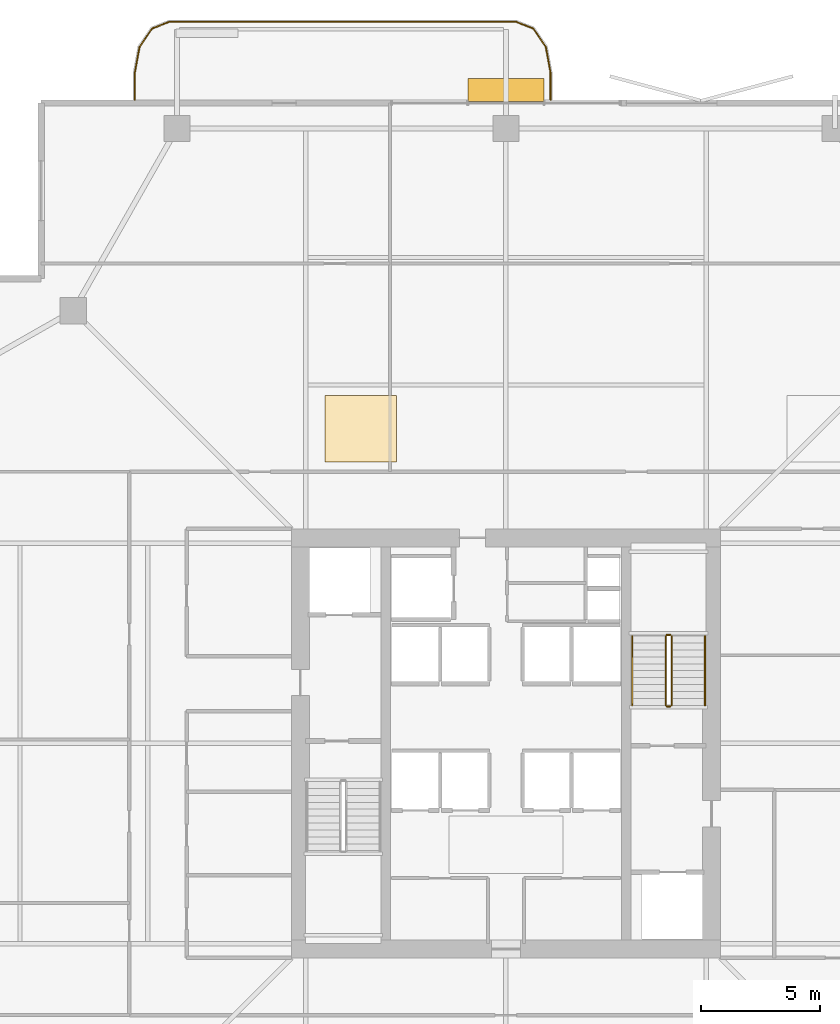
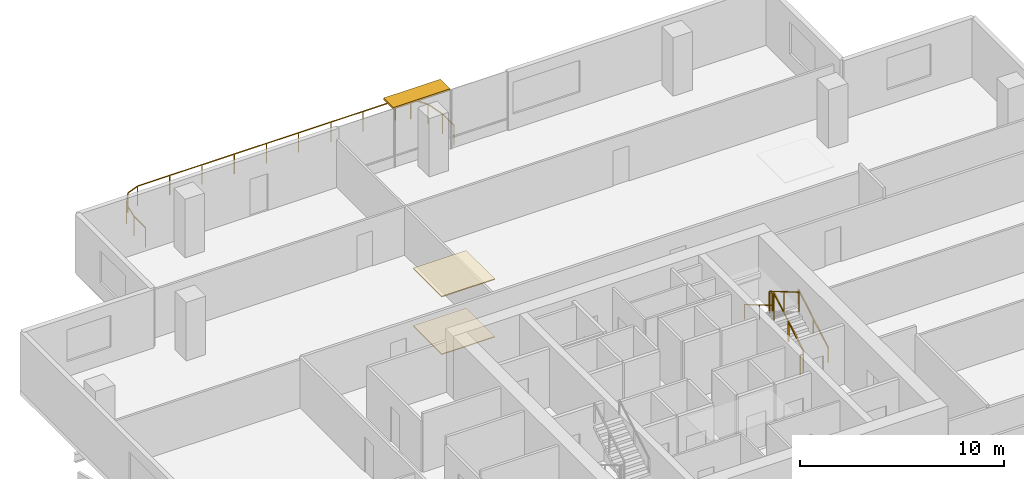
# One storey, part 23 of 24: 7 railings, 2 coverings, 1 shading device.
"""IFC4 building model written with IfcOpenShell, lengths in metres."""

from ifc_helpers import new_model, si_unit, direction, frame, origin, origin_2d, place, context, subcontext, project, spatial, polyline, rectangle, outline, extrude, material, layer, layer_set, type_object, element, save


model = new_model("IFC4")

# Units and contexts
model_context = context("Model", 3, precision=1e-05, world=origin(), true_north=direction((0.0, 1.0)))
body_context = subcontext(model_context, "Body", "Model", "MODEL_VIEW")
ifc_project = project(units=[si_unit("LENGTHUNIT", "METRE"), si_unit("AREAUNIT", "SQUARE_METRE"), si_unit("VOLUMEUNIT", "CUBIC_METRE"), si_unit("PLANEANGLEUNIT", "RADIAN"), si_unit("MASSUNIT", "GRAM", prefix="KILO")], contexts=[model_context])

# Site, building, storey
site_placement = place(None, origin())
site = spatial("IfcSite", under=ifc_project, at=site_placement, CompositionType="ELEMENT")
building_placement = place(site_placement, origin())
building = spatial("IfcBuilding", under=site, at=building_placement, Name="Belovzor Exchange Tower", CompositionType="ELEMENT")
storey_placement = place(building_placement, frame((0.0, 0.0, 222.449951171875)))
storey = spatial("IfcBuildingStorey", under=building, at=storey_placement, Name="L55", CompositionType="ELEMENT", Elevation=222.449951171875)

# Railings
ifc_material_1 = material(Name="Stainless Steel Grade 304", Category="steel")
railing_type_1 = type_object("IfcRailingType", Name="Brushed Stainless Steel Stair Handrail 900", PredefinedType="HANDRAIL", material=ifc_material_1)
railing_1_placement = place(storey_placement, frame((37.14990234375, 30.39990234375, 0.17041015625)))
element("IfcRailing", 1, at=railing_1_placement, inside=storey, type_object=railing_type_1, Name="L55 ST-2 stair handrail 1", PredefinedType="HANDRAIL", context=body_context, shape_type="SweptSolid", body=[
    extrude(rectangle(XDim=0.048095703125, YDim=0.048095703125, at=origin_2d()), frame((0.0, 0.0, 0.8759765625), z_axis=(0.0, 0.862113265706, 0.506715617574), x_axis=(-1.0, 0.0, 0.0)), (0.0, 0.0, 1.0), 3.364013671875),
    extrude(rectangle(XDim=0.0419921875, YDim=0.0419921875, at=origin_2d()), origin(), (0.0, 0.0, 1.0), 0.851806640625),
    extrude(rectangle(XDim=0.0419921875, YDim=0.0419921875, at=origin_2d()), frame((0.0, 1.4501953125, 0.852294921875)), (0.0, 0.0, 1.0), 0.851806640625),
    extrude(rectangle(XDim=0.0419921875, YDim=0.0419921875, at=origin_2d()), frame((0.0, 2.900146484375, 1.70458984375)), (0.0, 0.0, 1.0), 0.851806640625),
])
railing_2_placement = place(storey_placement, frame((34.10009765625, 33.300048828125, 2.04541015625)))
element("IfcRailing", 2, at=railing_2_placement, inside=storey, type_object=railing_type_1, Name="L55 ST-2 stair handrail 2", PredefinedType="HANDRAIL", context=body_context, shape_type="SweptSolid", body=[
    extrude(rectangle(XDim=0.048095703125, YDim=0.048095703125, at=origin_2d()), frame((0.0, 0.0, 0.8759765625), z_axis=(0.0, -0.862113265706, 0.506715617574), x_axis=(1.0, 0.0, 0.0)), (0.0, 0.0, 1.0), 3.364013671875),
    extrude(rectangle(XDim=0.0419921875, YDim=0.0419921875, at=origin_2d()), origin(), (0.0, 0.0, 1.0), 0.851806640625),
    extrude(rectangle(XDim=0.0419921875, YDim=0.0419921875, at=origin_2d()), frame((0.0, -1.4501953125, 0.852294921875)), (0.0, 0.0, 1.0), 0.851806640625),
    extrude(rectangle(XDim=0.0419921875, YDim=0.0419921875, at=origin_2d()), frame((0.0, -2.900146484375, 1.70458984375)), (0.0, 0.0, 1.0), 0.851806640625),
])
ifc_material_2 = material(Name="Stainless Steel and Laminated Safety Glass", Category="steel")
railing_type_2 = type_object("IfcRailingType", Name="Laminated Glass & Stainless Steel Balcony Balustrade 1200", PredefinedType="BALUSTRADE", material=ifc_material_2)
railing_3_placement = place(storey_placement, frame((30.669921875, 55.81005859375, 0.0)))
element("IfcRailing", 3, at=railing_3_placement, inside=storey, type_object=railing_type_2, Name="GR-1 Balcony Balustrade L55 North", PredefinedType="BALUSTRADE", context=body_context, shape_type="SweptSolid", body=[
    extrude(rectangle(XDim=0.048095703125, YDim=0.048095703125, at=origin_2d()), frame((0.0, 0.0, 1.17578125), z_axis=(0.0, 1.0, 0.0), x_axis=(-1.0, 0.0, 0.0)), (0.0, 0.0, 1.0), 1.133056640625),
    extrude(rectangle(XDim=0.048095703125, YDim=0.048095703125, at=origin_2d()), frame((0.0, 1.133056640625, 1.17578125), z_axis=(-0.180122719713, 0.983644145941, 0.0), x_axis=(-0.983644145941, -0.180122719713, 0.0)), (0.0, 0.0, 1.0), 1.09375),
    extrude(rectangle(XDim=0.048095703125, YDim=0.048095703125, at=origin_2d()), frame((-0.197021484375, 2.208984375, 1.17578125), z_axis=(-0.562768145367, 0.826614792125, 0.0), x_axis=(-0.826614792125, -0.562768145367, 0.0)), (0.0, 0.0, 1.0), 0.9326171875),
    extrude(rectangle(XDim=0.048095703125, YDim=0.048095703125, at=origin_2d()), frame((-0.721923828125, 2.97998046875, 1.17578125), z_axis=(-0.930766990125, 0.365612923861, 0.0), x_axis=(-0.365612923861, -0.930766990125, 0.0)), (0.0, 0.0, 1.0), 0.765869140625),
    extrude(rectangle(XDim=0.048095703125, YDim=0.048095703125, at=origin_2d()), frame((-1.434814453125, 3.260009765625, 1.17578125), z_axis=(-1.0, 0.0, 0.0), x_axis=(0.0, -1.0, 0.0)), (0.0, 0.0, 1.0), 14.570068359375),
    extrude(rectangle(XDim=0.048095703125, YDim=0.048095703125, at=origin_2d()), frame((-16.0048828125, 3.260009765625, 1.17578125), z_axis=(-0.930809580156, -0.365504480807, 0.0), x_axis=(0.365504480807, -0.930809580156, 0.0)), (0.0, 0.0, 1.0), 0.76611328125),
    extrude(rectangle(XDim=0.048095703125, YDim=0.048095703125, at=origin_2d()), frame((-16.718017578125, 2.97998046875, 1.17578125), z_axis=(-0.562768145367, -0.826614792125, 0.0), x_axis=(0.826614792125, -0.562768145367, 0.0)), (0.0, 0.0, 1.0), 0.9326171875),
    extrude(rectangle(XDim=0.048095703125, YDim=0.048095703125, at=origin_2d()), frame((-17.242919921875, 2.208984375, 1.17578125), z_axis=(-0.180122719713, -0.983644145941, 0.0), x_axis=(0.983644145941, -0.180122719713, 0.0)), (0.0, 0.0, 1.0), 1.09375),
    extrude(rectangle(XDim=0.048095703125, YDim=0.048095703125, at=origin_2d()), frame((-17.43994140625, 1.133056640625, 1.17578125), z_axis=(0.0, -1.0, 0.0), x_axis=(1.0, 0.0, 0.0)), (0.0, 0.0, 1.0), 1.133056640625),
    extrude(rectangle(XDim=0.0419921875, YDim=0.0419921875, at=origin_2d()), origin(), (0.0, 0.0, 1.0), 1.15185546875),
    extrude(rectangle(XDim=0.0419921875, YDim=0.0419921875, at=origin_2d()), frame((0.0, 1.133056640625, 0.0)), (0.0, 0.0, 1.0), 1.15185546875),
    extrude(rectangle(XDim=0.0419921875, YDim=0.0419921875, at=origin_2d()), frame((-0.197021484375, 2.208984375, 0.0)), (0.0, 0.0, 1.0), 1.15185546875),
    extrude(rectangle(XDim=0.0419921875, YDim=0.0419921875, at=origin_2d()), frame((-0.721923828125, 2.97998046875, 0.0)), (0.0, 0.0, 1.0), 1.15185546875),
    extrude(rectangle(XDim=0.0419921875, YDim=0.0419921875, at=origin_2d()), frame((-1.434814453125, 3.260009765625, 0.0)), (0.0, 0.0, 1.0), 1.15185546875),
    extrude(rectangle(XDim=0.0419921875, YDim=0.0419921875, at=origin_2d()), frame((-3.256103515625, 3.260009765625, 0.0)), (0.0, 0.0, 1.0), 1.15185546875),
    extrude(rectangle(XDim=0.0419921875, YDim=0.0419921875, at=origin_2d()), frame((-5.077392578125, 3.260009765625, 0.0)), (0.0, 0.0, 1.0), 1.15185546875),
    extrude(rectangle(XDim=0.0419921875, YDim=0.0419921875, at=origin_2d()), frame((-6.898681640625, 3.260009765625, 0.0)), (0.0, 0.0, 1.0), 1.15185546875),
    extrude(rectangle(XDim=0.0419921875, YDim=0.0419921875, at=origin_2d()), frame((-8.7197265625, 3.260009765625, 0.0)), (0.0, 0.0, 1.0), 1.15185546875),
    extrude(rectangle(XDim=0.0419921875, YDim=0.0419921875, at=origin_2d()), frame((-10.541015625, 3.260009765625, 0.0)), (0.0, 0.0, 1.0), 1.15185546875),
    extrude(rectangle(XDim=0.0419921875, YDim=0.0419921875, at=origin_2d()), frame((-12.3623046875, 3.260009765625, 0.0)), (0.0, 0.0, 1.0), 1.15185546875),
    extrude(rectangle(XDim=0.0419921875, YDim=0.0419921875, at=origin_2d()), frame((-14.18359375, 3.260009765625, 0.0)), (0.0, 0.0, 1.0), 1.15185546875),
    extrude(rectangle(XDim=0.0419921875, YDim=0.0419921875, at=origin_2d()), frame((-16.0048828125, 3.260009765625, 0.0)), (0.0, 0.0, 1.0), 1.15185546875),
    extrude(rectangle(XDim=0.0419921875, YDim=0.0419921875, at=origin_2d()), frame((-16.718017578125, 2.97998046875, 0.0)), (0.0, 0.0, 1.0), 1.15185546875),
    extrude(rectangle(XDim=0.0419921875, YDim=0.0419921875, at=origin_2d()), frame((-17.242919921875, 2.208984375, 0.0)), (0.0, 0.0, 1.0), 1.15185546875),
    extrude(rectangle(XDim=0.0419921875, YDim=0.0419921875, at=origin_2d()), frame((-17.43994140625, 1.133056640625, 0.0)), (0.0, 0.0, 1.0), 1.15185546875),
    extrude(rectangle(XDim=0.0419921875, YDim=0.0419921875, at=origin_2d()), frame((-17.43994140625, 0.0, 0.0)), (0.0, 0.0, 1.0), 1.15185546875),
])
ifc_material_3 = material(Name="Steel S355", Category="steel")
railing_type_3 = type_object("IfcRailingType", Name="Painted Steel Stairwell Guardrail 1200", PredefinedType="GUARDRAIL", material=ifc_material_3)
railing_4_placement = place(storey_placement, frame((35.75, 30.39990234375, 0.17041015625)))
element("IfcRailing", 4, at=railing_4_placement, inside=storey, type_object=railing_type_3, Name="L55 ST-2 stair guard 1", PredefinedType="GUARDRAIL", context=body_context, shape_type="SweptSolid", body=[
    extrude(rectangle(XDim=0.048095703125, YDim=0.048095703125, at=origin_2d()), frame((0.0, 0.0, 1.17578125), z_axis=(0.0, 0.862113265706, 0.506715617574), x_axis=(-1.0, 0.0, 0.0)), (0.0, 0.0, 1.0), 3.364013671875),
    extrude(rectangle(XDim=0.0419921875, YDim=0.0419921875, at=origin_2d()), origin(), (0.0, 0.0, 1.0), 1.15185546875),
    extrude(rectangle(XDim=0.0419921875, YDim=0.0419921875, at=origin_2d()), frame((0.0, 1.4501953125, 0.852294921875)), (0.0, 0.0, 1.0), 1.15185546875),
    extrude(rectangle(XDim=0.0419921875, YDim=0.0419921875, at=origin_2d()), frame((0.0, 2.900146484375, 1.70458984375)), (0.0, 0.0, 1.0), 1.15185546875),
])
railing_5_placement = place(storey_placement, frame((35.699951171875, 33.35009765625, 1.875)))
element("IfcRailing", 5, at=railing_5_placement, inside=storey, type_object=railing_type_3, Name="L55 ST-2 stair guard 2", PredefinedType="GUARDRAIL", context=body_context, shape_type="SweptSolid", body=[
    extrude(rectangle(XDim=0.048095703125, YDim=0.048095703125, at=origin_2d()), frame((0.0, 0.0, 1.17578125), z_axis=(-1.0, 0.0, 0.0), x_axis=(0.0, -1.0, 0.0)), (0.0, 0.0, 1.0), 0.14990234375),
    extrude(rectangle(XDim=0.0419921875, YDim=0.0419921875, at=origin_2d()), origin(), (0.0, 0.0, 1.0), 1.15185546875),
    extrude(rectangle(XDim=0.0419921875, YDim=0.0419921875, at=origin_2d()), frame((-0.14990234375, 0.0, 0.0)), (0.0, 0.0, 1.0), 1.15185546875),
])
railing_6_placement = place(storey_placement, frame((35.5, 33.300048828125, 2.04541015625)))
element("IfcRailing", 6, at=railing_6_placement, inside=storey, type_object=railing_type_3, Name="L55 ST-2 stair guard 3", PredefinedType="GUARDRAIL", context=body_context, shape_type="SweptSolid", body=[
    extrude(rectangle(XDim=0.048095703125, YDim=0.048095703125, at=origin_2d()), frame((0.0, 0.0, 1.17578125), z_axis=(0.0, -0.862113265706, 0.506715617574), x_axis=(1.0, 0.0, 0.0)), (0.0, 0.0, 1.0), 3.364013671875),
    extrude(rectangle(XDim=0.0419921875, YDim=0.0419921875, at=origin_2d()), origin(), (0.0, 0.0, 1.0), 1.15185546875),
    extrude(rectangle(XDim=0.0419921875, YDim=0.0419921875, at=origin_2d()), frame((0.0, -1.4501953125, 0.852294921875)), (0.0, 0.0, 1.0), 1.15185546875),
    extrude(rectangle(XDim=0.0419921875, YDim=0.0419921875, at=origin_2d()), frame((0.0, -2.900146484375, 1.70458984375)), (0.0, 0.0, 1.0), 1.15185546875),
])
railing_7_placement = place(storey_placement, frame((35.699951171875, 30.35009765625, 0.0)))
element("IfcRailing", 7, at=railing_7_placement, inside=storey, type_object=railing_type_3, Name="L55 ST-2 stair guard 4", PredefinedType="GUARDRAIL", context=body_context, shape_type="SweptSolid", body=[
    extrude(rectangle(XDim=0.048095703125, YDim=0.048095703125, at=origin_2d()), frame((0.0, 0.0, 1.17578125), z_axis=(-1.0, 0.0, 0.0), x_axis=(0.0, -1.0, 0.0)), (0.0, 0.0, 1.0), 0.14990234375),
    extrude(rectangle(XDim=0.0419921875, YDim=0.0419921875, at=origin_2d()), origin(), (0.0, 0.0, 1.0), 1.15185546875),
    extrude(rectangle(XDim=0.0419921875, YDim=0.0419921875, at=origin_2d()), frame((-0.14990234375, 0.0, 0.0)), (0.0, 0.0, 1.0), 1.15185546875),
])

# Coverings
ifc_material_4 = material(Name="Perforated Powder-Coated Aluminium", Category="aluminium")
ifc_layer_1 = layer(ifc_material_4, 0.06005859375)
ifc_layer_set_1 = layer_set([ifc_layer_1], Name="Perforated Powder-Coated Aluminium")
covering_type_1 = type_object("IfcCoveringType", Name="Perforated Acoustic Metal Tile Suspended Ceiling 60", PredefinedType="CEILING", material=ifc_layer_set_1)
covering_1_placement = place(storey_placement, frame((0.0, 0.0, 3.43994140625)))
element("IfcCovering", 8, at=covering_1_placement, inside=storey, type_object=covering_type_1, Name="CLG-AC60 Suspended Ceiling CLG-L55-Z3", PredefinedType="CEILING", context=body_context, shape_type="SweptSolid", body=[
    extrude(outline(polyline([(21.199951171875, 40.60009765625), (24.199951171875, 40.60009765625), (24.199951171875, 43.39990234375), (21.199951171875, 43.39990234375), (21.199951171875, 40.60009765625)])), origin(), (0.0, 0.0, 1.0), 0.06005859375),
])
ifc_material_5 = material(Name="Polished Natural Granite Tile", Category="masonry")
ifc_layer_2 = layer(ifc_material_5, 0.050048828125)
ifc_layer_set_2 = layer_set([ifc_layer_2], Name="Polished Natural Granite Tile")
covering_type_2 = type_object("IfcCoveringType", Name="Polished Karelian Granite & Raised Access Floor Finish 50", PredefinedType="FLOORING", material=ifc_layer_set_2)
covering_2_placement = place(storey_placement, origin())
element("IfcCovering", 9, at=covering_2_placement, inside=storey, type_object=covering_type_2, Name="FLR-GR50 Floor Finish FLR-L55-Z3", PredefinedType="FLOORING", context=body_context, shape_type="SweptSolid", body=[
    extrude(outline(polyline([(21.199951171875, 40.60009765625), (24.199951171875, 40.60009765625), (24.199951171875, 43.39990234375), (21.199951171875, 43.39990234375), (21.199951171875, 40.60009765625)])), origin(), (0.0, 0.0, 1.0), 0.050048828125),
])

# Shading device
ifc_material_6 = material(Name="Extruded Architectural Terracotta", Category="masonry")
ifc_layer_3 = layer(ifc_material_6, 0.1201171875)
ifc_layer_set_3 = layer_set([ifc_layer_3], Name="Extruded Architectural Terracotta")
shading_device_type = type_object("IfcShadingDeviceType", Name="Streamline Terracotta Horizontal Sunshade Hood 950", PredefinedType="AWNING", material=ifc_layer_set_3)
shading_device_placement = place(storey_placement, frame((28.800048828125, 56.215087890625, 3.3798828125), z_axis=(0.0, 0.0, 1.0), x_axis=(1.0, 0.0, 0.0)))
element("IfcShadingDevice", 10, at=shading_device_placement, inside=storey, type_object=shading_device_type, Name="SHD-TC095 Terracotta Sunshade L55 N", PredefinedType="AWNING", context=body_context, shape_type="SweptSolid", body=[
    extrude(rectangle(XDim=3.199951171875, YDim=0.949951171875, at=origin_2d()), origin(), (0.0, 0.0, 1.0), 0.1201171875),
])

save(model, "model.ifc")
